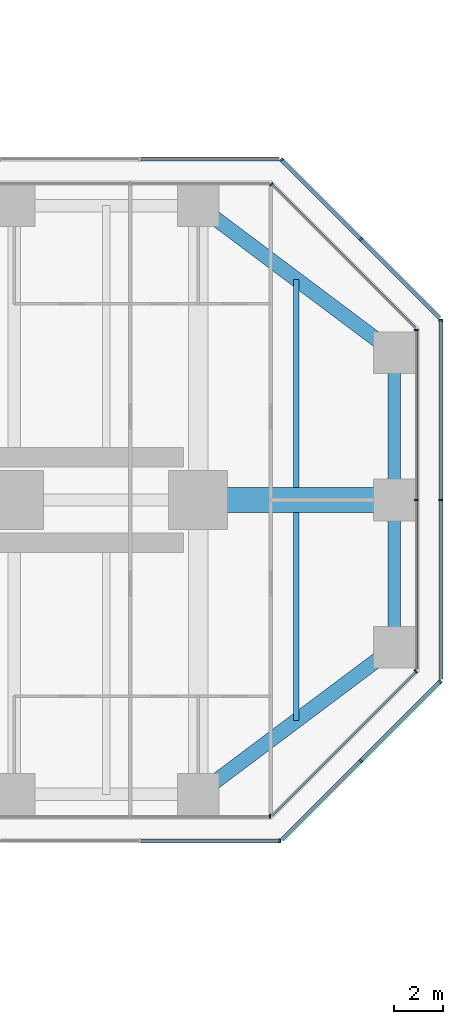
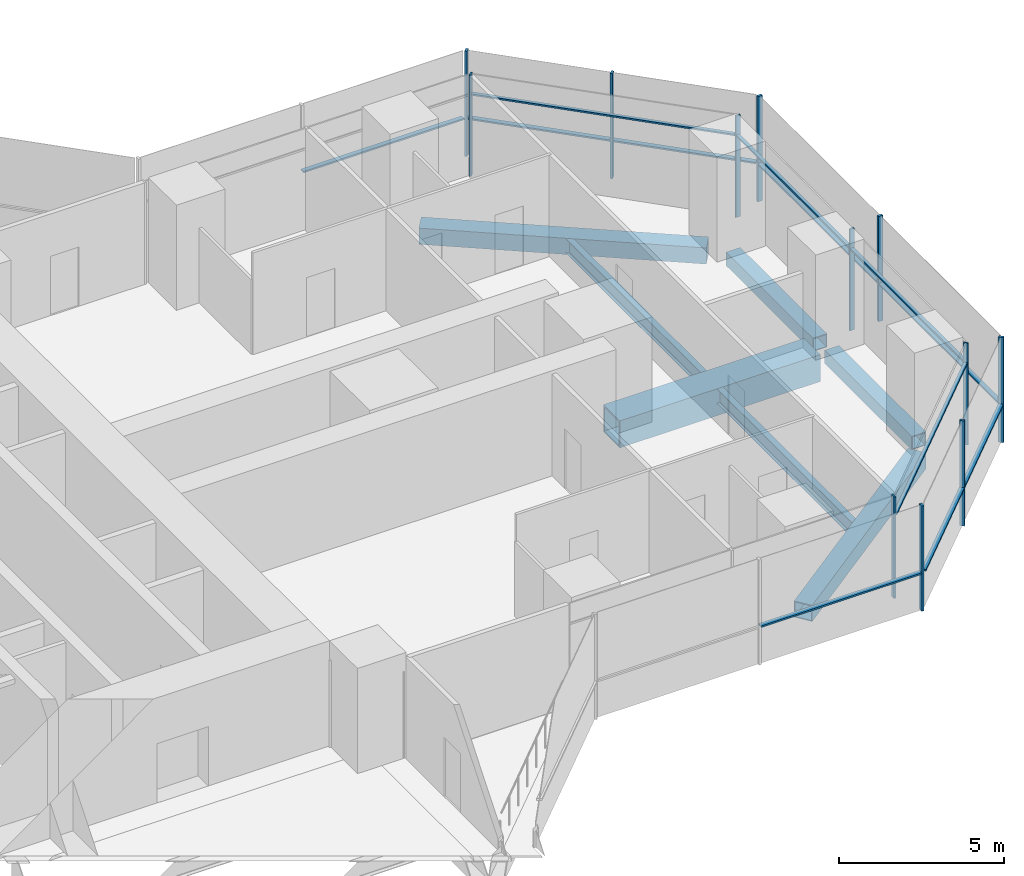
# One storey, part 11 of 20: 24 members, 7 beams, 9 elements without a shape of their own.
"""IFC4 building model written with IfcOpenShell, lengths in metres."""

from ifc_helpers import new_model, si_unit, direction, frame, origin, origin_2d, place, context, subcontext, project, spatial, rectangle, hollow_rectangle, i_section, extrude, material, material_profile, profile_set, type_object, element, aggregate, save


model = new_model("IFC4")

# Units and contexts
model_context = context("Model", 3, precision=1e-05, world=origin(), true_north=direction((0.0, 1.0)))
body_context = subcontext(model_context, "Body", "Model", "MODEL_VIEW")
ifc_project = project(units=[si_unit("LENGTHUNIT", "METRE"), si_unit("AREAUNIT", "SQUARE_METRE"), si_unit("VOLUMEUNIT", "CUBIC_METRE"), si_unit("PLANEANGLEUNIT", "RADIAN"), si_unit("MASSUNIT", "GRAM", prefix="KILO")], contexts=[model_context])

# Site, building, storey
site_placement = place(None, origin())
site = spatial("IfcSite", under=ifc_project, at=site_placement, CompositionType="ELEMENT")
building_placement = place(site_placement, origin())
building = spatial("IfcBuilding", under=site, at=building_placement, Name="Mizan Broadcast Tower", CompositionType="ELEMENT")
storey_placement = place(building_placement, frame((0.0, 0.0, 143.699951171875)))
storey = spatial("IfcBuildingStorey", under=building, at=storey_placement, Name="L32", CompositionType="ELEMENT", Elevation=143.699951171875)

# Beams
ifc_material_1 = material(Name="Steel S355", Category="steel")
ifc_material_profile_1 = material_profile(ifc_material_1, hollow_rectangle(XDim=0.5, YDim=0.5, WallThickness=0.030029296875, at=origin_2d()), Name="BOX 500x500x30")
ifc_profile_set_1 = profile_set([ifc_material_profile_1], Name="Steel S355")
beam_type_1 = type_object("IfcBeamType", Name="EDGE BEAM BOX 500x500x30", PredefinedType="SPANDREL", material=ifc_profile_set_1)
for number, where, z_axis, x_axis, name in (
    (1, (35.0, -5.639892578125, -0.3798828125), (0.0, 1.0, 0.0), (-1.0, 0.0, 0.0), "Edge beam BOX 500x500x30 L32 east arm"),
    (2, (35.0, 5.639892578125, -0.3798828125), (0.0, -1.0, 0.0), (1.0, 0.0, 0.0), "Edge beam BOX 500x500x30 L32 east arm"),
):
    element("IfcBeam", number, at=place(storey_placement, frame(where, z_axis=z_axis, x_axis=x_axis)), inside=storey, type_object=beam_type_1, Name=name, PredefinedType="SPANDREL", context=body_context, shape_type="SweptSolid", body=[
        extrude(hollow_rectangle(XDim=0.5, YDim=0.5, WallThickness=0.030029296875, at=origin_2d()), origin(), (0.0, 0.0, 1.0), 5.27978515625),
    ])
ifc_material_2 = material(Name="Steel S355", Category="steel")
ifc_material_profile_2 = material_profile(ifc_material_2, hollow_rectangle(XDim=0.60009765625, YDim=0.60009765625, WallThickness=0.030029296875, at=origin_2d()), Name="BOX 600x600x30")
ifc_profile_set_2 = profile_set([ifc_material_profile_2], Name="Steel S355")
beam_type_2 = type_object("IfcBeamType", Name="EDGE BEAM BOX 600x600x30", PredefinedType="SPANDREL", material=ifc_profile_set_2)
for number, where, z_axis, x_axis, name in (
    (3, (27.47998046875, -11.639892578125, -0.429931640625), (0.800013316712, 0.599982243973, 0.0), (-0.599982243973, 0.800013316712, 0.0), "Edge beam BOX 600x600x30 L32 east arm"),
    (4, (27.47998046875, 11.639892578125, -0.429931640625), (0.800013316712, -0.599982243973, 0.0), (0.599982243973, 0.800013316712, 0.0), "Edge beam BOX 600x600x30 L32 east arm"),
):
    element("IfcBeam", number, at=place(storey_placement, frame(where, z_axis=z_axis, x_axis=x_axis)), inside=storey, type_object=beam_type_2, Name=name, PredefinedType="SPANDREL", context=body_context, shape_type="SweptSolid", body=[
        extrude(hollow_rectangle(XDim=0.60009765625, YDim=0.60009765625, WallThickness=0.030029296875, at=origin_2d()), origin(), (0.0, 0.0, 1.0), 8.7998046875),
    ])
ifc_material_3 = material(Name="Steel S460", Category="steel")
ifc_material_profile_3 = material_profile(ifc_material_3, hollow_rectangle(XDim=1.0, YDim=1.0, WallThickness=0.06005859375, at=origin_2d()), Name="BOX 1000x1000x60")
ifc_profile_set_3 = profile_set([ifc_material_profile_3], Name="Steel S460")
beam_type_3 = type_object("IfcBeamType", Name="GIRDER BOX 1000x1000x60", PredefinedType="BEAM", material=ifc_profile_set_3)
beam_placement = place(storey_placement, frame((27.47998046875, 0.0, -0.6298828125), z_axis=(1.0, 0.0, 0.0), x_axis=(0.0, 1.0, 0.0)))
element("IfcBeam", 5, at=beam_placement, inside=storey, type_object=beam_type_3, Name="Girder BOX 1000x1000x60 L32 east arm", PredefinedType="BEAM", context=body_context, shape_type="SweptSolid", body=[
    extrude(hollow_rectangle(XDim=1.0, YDim=1.0, WallThickness=0.06005859375, at=origin_2d()), origin(), (0.0, 0.0, 1.0), 7.0400390625),
])

# Curtain wall, member
ifc_material_4 = material(Name="Aluminium framed glazing", Category="aluminium")
curtain_wall_type_1 = type_object("IfcCurtainWallType", Name="INNER SKIN MID ZONE", PredefinedType="USERDEFINED", material=ifc_material_4)
curtain_wall_1_placement = place(storey_placement, origin())
curtain_wall_1 = element("IfcCurtainWall", 6, at=curtain_wall_1_placement, inside=storey, type_object=curtain_wall_type_1, Name="Inner skin mid zone L32 E side", ObjectType="INNER SKIN MID ZONE", PredefinedType="USERDEFINED")
ifc_material_5 = material(Name="Aluminium, pale anodised", Category="aluminium")
ifc_material_profile_4 = material_profile(ifc_material_5, rectangle(XDim=0.159912109375, YDim=0.06005859375, at=origin_2d()), Name="MULLION 160x60")
ifc_profile_set_4 = profile_set([ifc_material_profile_4], Name="Aluminium, pale anodised")
member_type_1 = type_object("IfcMemberType", Name="INNER SKIN MULLION 60x160", PredefinedType="MULLION", material=ifc_profile_set_4)
member_1_placement = place(storey_placement, frame((29.928466796875, -12.89990234375, 0.0), z_axis=(0.0, 0.0, 1.0), x_axis=(0.0, 1.0, 0.0)))
member_1 = element("IfcMember", 7, at=member_1_placement, type_object=member_type_1, Name="Inner skin mid zone L32 E side mullion 3", PredefinedType="MULLION", context=body_context, shape_type="SweptSolid", body=[
    extrude(rectangle(XDim=0.159912109375, YDim=0.06005859375, at=origin_2d()), origin(), (0.0, 0.0, 1.0), 3.77001953125),
])
aggregate(curtain_wall_1, [member_1])

curtain_wall_2_placement = place(storey_placement, origin())
curtain_wall_2 = element("IfcCurtainWall", 8, at=curtain_wall_2_placement, inside=storey, type_object=curtain_wall_type_1, Name="Inner skin mid zone L32 E chamfer", ObjectType="INNER SKIN MID ZONE", PredefinedType="USERDEFINED")
member_2_placement = place(storey_placement, frame((35.87890625, -6.979736328125, 0.0), z_axis=(0.0, 0.0, 1.0), x_axis=(-0.707106781187, 0.707106781187, 0.0)))
member_2 = element("IfcMember", 9, at=member_2_placement, type_object=member_type_1, Name="Inner skin mid zone L32 E chamfer mullion 2", PredefinedType="MULLION", context=body_context, shape_type="SweptSolid", body=[
    extrude(rectangle(XDim=0.159912109375, YDim=0.06005859375, at=origin_2d()), origin(), (0.0, 0.0, 1.0), 3.77001953125),
])

# Curtain wall, members
curtain_wall_3_placement = place(storey_placement, origin())
curtain_wall_3 = element("IfcCurtainWall", 10, at=curtain_wall_3_placement, inside=storey, type_object=curtain_wall_type_1, Name="Inner skin mid zone L32 E end", ObjectType="INNER SKIN MID ZONE", PredefinedType="USERDEFINED")
member_3_placement = place(storey_placement, frame((35.89990234375, 0.0, 0.0), z_axis=(0.0, 0.0, 1.0), x_axis=(-1.0, 0.0, 0.0)))
member_3 = element("IfcMember", 11, at=member_3_placement, type_object=member_type_1, Name="Inner skin mid zone L32 E end mullion 2", PredefinedType="MULLION", context=body_context, shape_type="SweptSolid", body=[
    extrude(rectangle(XDim=0.159912109375, YDim=0.06005859375, at=origin_2d()), origin(), (0.0, 0.0, 1.0), 3.77001953125),
])
member_4_placement = place(storey_placement, frame((35.89990234375, 6.928466796875, 0.0), z_axis=(0.0, 0.0, 1.0), x_axis=(-1.0, 0.0, 0.0)))
member_4 = element("IfcMember", 12, at=member_4_placement, type_object=member_type_1, Name="Inner skin mid zone L32 E end mullion 3", PredefinedType="MULLION", context=body_context, shape_type="SweptSolid", body=[
    extrude(rectangle(XDim=0.159912109375, YDim=0.06005859375, at=origin_2d()), origin(), (0.0, 0.0, 1.0), 3.77001953125),
])

# Curtain wall, member
curtain_wall_4_placement = place(storey_placement, origin())
curtain_wall_4 = element("IfcCurtainWall", 13, at=curtain_wall_4_placement, inside=storey, type_object=curtain_wall_type_1, Name="Inner skin mid zone L32 E chamfer", ObjectType="INNER SKIN MID ZONE", PredefinedType="USERDEFINED")
member_5_placement = place(storey_placement, frame((29.979736328125, 12.87890625, 0.0), z_axis=(0.0, 0.0, 1.0), x_axis=(-0.707106781187, -0.707106781187, 0.0)))
member_5 = element("IfcMember", 14, at=member_5_placement, type_object=member_type_1, Name="Inner skin mid zone L32 E chamfer mullion 2", PredefinedType="MULLION", context=body_context, shape_type="SweptSolid", body=[
    extrude(rectangle(XDim=0.159912109375, YDim=0.06005859375, at=origin_2d()), origin(), (0.0, 0.0, 1.0), 3.77001953125),
])

# Member
ifc_material_6 = material(Name="Aluminium, pale anodised", Category="aluminium")
ifc_material_profile_5 = material_profile(ifc_material_6, rectangle(XDim=0.1201171875, YDim=0.06005859375, at=origin_2d()), Name="TRANSOM 120x60")
ifc_profile_set_5 = profile_set([ifc_material_profile_5], Name="Aluminium, pale anodised")
member_type_2 = type_object("IfcMemberType", Name="INNER SKIN TRANSOM 60x120", PredefinedType="USERDEFINED", material=ifc_profile_set_5)
member_6_placement = place(storey_placement, frame((30.0009765625, -12.857666015625, 3.030029296875), z_axis=(0.707106781187, 0.707106781187, 0.0), x_axis=(-0.707106781187, 0.707106781187, 0.0)))
member_6 = element("IfcMember", 15, at=member_6_placement, type_object=member_type_2, Name="Inner skin mid zone L32 E chamfer transom 1.1", ObjectType="TRANSOM", PredefinedType="USERDEFINED", context=body_context, shape_type="SweptSolid", body=[
    extrude(rectangle(XDim=0.1201171875, YDim=0.06005859375, at=origin_2d()), origin(), (0.0, 0.0, 1.0), 8.28271484375),
])

aggregate(curtain_wall_2, [member_2, member_6])

member_7_placement = place(storey_placement, frame((35.89990234375, -6.898681640625, 3.030029296875), z_axis=(0.0, 1.0, 0.0), x_axis=(-1.0, 0.0, 0.0)))
member_7 = element("IfcMember", 16, at=member_7_placement, type_object=member_type_2, Name="Inner skin mid zone L32 E end transom 1.1", ObjectType="TRANSOM", PredefinedType="USERDEFINED", context=body_context, shape_type="SweptSolid", body=[
    extrude(rectangle(XDim=0.1201171875, YDim=0.06005859375, at=origin_2d()), origin(), (0.0, 0.0, 1.0), 6.86865234375),
])

member_8_placement = place(storey_placement, frame((35.89990234375, 0.030029296875, 3.030029296875), z_axis=(0.0, 1.0, 0.0), x_axis=(-1.0, 0.0, 0.0)))
member_8 = element("IfcMember", 17, at=member_8_placement, type_object=member_type_2, Name="Inner skin mid zone L32 E end transom 2.1", ObjectType="TRANSOM", PredefinedType="USERDEFINED", context=body_context, shape_type="SweptSolid", body=[
    extrude(rectangle(XDim=0.1201171875, YDim=0.06005859375, at=origin_2d()), origin(), (0.0, 0.0, 1.0), 6.86865234375),
])

aggregate(curtain_wall_3, [member_3, member_4, member_7, member_8])

member_9_placement = place(storey_placement, frame((35.857666015625, 7.0009765625, 3.030029296875), z_axis=(-0.707106781187, 0.707106781187, 0.0), x_axis=(-0.707106781187, -0.707106781187, 0.0)))
member_9 = element("IfcMember", 18, at=member_9_placement, type_object=member_type_2, Name="Inner skin mid zone L32 E chamfer transom 1.1", ObjectType="TRANSOM", PredefinedType="USERDEFINED", context=body_context, shape_type="SweptSolid", body=[
    extrude(rectangle(XDim=0.1201171875, YDim=0.06005859375, at=origin_2d()), origin(), (0.0, 0.0, 1.0), 8.28271484375),
])

aggregate(curtain_wall_4, [member_5, member_9])

# Curtain wall, members
ifc_material_7 = material(Name="Aluminium framed glazing", Category="aluminium")
curtain_wall_type_2 = type_object("IfcCurtainWallType", Name="OUTER SKIN", PredefinedType="USERDEFINED", material=ifc_material_7)
curtain_wall_5_placement = place(storey_placement, origin())
curtain_wall_5 = element("IfcCurtainWall", 19, at=curtain_wall_5_placement, inside=storey, type_object=curtain_wall_type_2, Name="Outer skin L32 E chamfer", ObjectType="OUTER SKIN", PredefinedType="USERDEFINED")
ifc_material_8 = material(Name="Aluminium, pale anodised", Category="aluminium")
ifc_material_profile_6 = material_profile(ifc_material_8, rectangle(XDim=0.159912109375, YDim=0.080078125, at=origin_2d()), Name="MULLION 160x80")
ifc_profile_set_6 = profile_set([ifc_material_profile_6], Name="Aluminium, pale anodised")
member_type_3 = type_object("IfcMemberType", Name="OUTER SKIN MULLION 80x160", PredefinedType="MULLION", material=ifc_profile_set_6)
member_10_placement = place(storey_placement, frame((33.636474609375, -10.636474609375, 0.0), z_axis=(0.0, 0.0, 1.0), x_axis=(-0.707106781187, 0.707106781187, 0.0)))
member_10 = element("IfcMember", 20, at=member_10_placement, type_object=member_type_3, Name="Outer skin L32 E chamfer mullion 2", PredefinedType="MULLION", context=body_context, shape_type="SweptSolid", body=[
    extrude(rectangle(XDim=0.159912109375, YDim=0.080078125, at=origin_2d()), origin(), (0.0, 0.0, 1.0), 3.900146484375),
])
member_11_placement = place(storey_placement, frame((36.871826171875, -7.401123046875, 0.0), z_axis=(0.0, 0.0, 1.0), x_axis=(-0.707106781187, 0.707106781187, 0.0)))
member_11 = element("IfcMember", 21, at=member_11_placement, type_object=member_type_3, Name="Outer skin L32 E chamfer mullion 3", PredefinedType="MULLION", context=body_context, shape_type="SweptSolid", body=[
    extrude(rectangle(XDim=0.159912109375, YDim=0.080078125, at=origin_2d()), origin(), (0.0, 0.0, 1.0), 3.900146484375),
])

curtain_wall_6_placement = place(storey_placement, origin())
curtain_wall_6 = element("IfcCurtainWall", 22, at=curtain_wall_6_placement, inside=storey, type_object=curtain_wall_type_2, Name="Outer skin L32 E end", ObjectType="OUTER SKIN", PredefinedType="USERDEFINED")
member_12_placement = place(storey_placement, frame((36.89990234375, 0.0, 0.0), z_axis=(0.0, 0.0, 1.0), x_axis=(-1.0, 0.0, 0.0)))
member_12 = element("IfcMember", 23, at=member_12_placement, type_object=member_type_3, Name="Outer skin L32 E end mullion 2", PredefinedType="MULLION", context=body_context, shape_type="SweptSolid", body=[
    extrude(rectangle(XDim=0.159912109375, YDim=0.080078125, at=origin_2d()), origin(), (0.0, 0.0, 1.0), 3.900146484375),
])
member_13_placement = place(storey_placement, frame((36.89990234375, 7.332763671875, 0.0), z_axis=(0.0, 0.0, 1.0), x_axis=(-1.0, 0.0, 0.0)))
member_13 = element("IfcMember", 24, at=member_13_placement, type_object=member_type_3, Name="Outer skin L32 E end mullion 3", PredefinedType="MULLION", context=body_context, shape_type="SweptSolid", body=[
    extrude(rectangle(XDim=0.159912109375, YDim=0.080078125, at=origin_2d()), origin(), (0.0, 0.0, 1.0), 3.900146484375),
])

curtain_wall_7_placement = place(storey_placement, origin())
curtain_wall_7 = element("IfcCurtainWall", 25, at=curtain_wall_7_placement, inside=storey, type_object=curtain_wall_type_2, Name="Outer skin L32 E chamfer", ObjectType="OUTER SKIN", PredefinedType="USERDEFINED")
member_14_placement = place(storey_placement, frame((33.636474609375, 10.636474609375, 0.0), z_axis=(0.0, 0.0, 1.0), x_axis=(-0.707106781187, -0.707106781187, 0.0)))
member_14 = element("IfcMember", 26, at=member_14_placement, type_object=member_type_3, Name="Outer skin L32 E chamfer mullion 2", PredefinedType="MULLION", context=body_context, shape_type="SweptSolid", body=[
    extrude(rectangle(XDim=0.159912109375, YDim=0.080078125, at=origin_2d()), origin(), (0.0, 0.0, 1.0), 3.900146484375),
])
member_15_placement = place(storey_placement, frame((30.401123046875, 13.871826171875, 0.0), z_axis=(0.0, 0.0, 1.0), x_axis=(-0.707106781187, -0.707106781187, 0.0)))
member_15 = element("IfcMember", 27, at=member_15_placement, type_object=member_type_3, Name="Outer skin L32 E chamfer mullion 3", PredefinedType="MULLION", context=body_context, shape_type="SweptSolid", body=[
    extrude(rectangle(XDim=0.159912109375, YDim=0.080078125, at=origin_2d()), origin(), (0.0, 0.0, 1.0), 3.900146484375),
])

# Curtain wall, member
curtain_wall_8_placement = place(storey_placement, origin())
curtain_wall_8 = element("IfcCurtainWall", 28, at=curtain_wall_8_placement, inside=storey, type_object=curtain_wall_type_2, Name="Outer skin L32 E side", ObjectType="OUTER SKIN", PredefinedType="USERDEFINED")
member_16_placement = place(storey_placement, frame((30.332763671875, -13.89990234375, 0.0), z_axis=(0.0, 0.0, 1.0), x_axis=(0.0, 1.0, 0.0)))
member_16 = element("IfcMember", 29, at=member_16_placement, type_object=member_type_3, Name="Outer skin L32 E side mullion 3", PredefinedType="MULLION", context=body_context, shape_type="SweptSolid", body=[
    extrude(rectangle(XDim=0.159912109375, YDim=0.080078125, at=origin_2d()), origin(), (0.0, 0.0, 1.0), 3.900146484375),
])

# Member
ifc_material_9 = material(Name="Aluminium, pale anodised", Category="aluminium")
ifc_material_profile_7 = material_profile(ifc_material_9, rectangle(XDim=0.159912109375, YDim=0.06005859375, at=origin_2d()), Name="TRANSOM 160x60")
ifc_profile_set_7 = profile_set([ifc_material_profile_7], Name="Aluminium, pale anodised")
member_type_4 = type_object("IfcMemberType", Name="OUTER SKIN TRANSOM 60x160", PredefinedType="USERDEFINED", material=ifc_profile_set_7)
member_17_placement = place(storey_placement, frame((30.429443359375, -13.843505859375, 1.400146484375), z_axis=(0.707106781187, 0.707106781187, 0.0), x_axis=(-0.707106781187, 0.707106781187, 0.0)))
member_17 = element("IfcMember", 30, at=member_17_placement, type_object=member_type_4, Name="Outer skin L32 E chamfer transom 1.1", ObjectType="TRANSOM", PredefinedType="USERDEFINED", context=body_context, shape_type="SweptSolid", body=[
    extrude(rectangle(XDim=0.159912109375, YDim=0.06005859375, at=origin_2d()), origin(), (0.0, 0.0, 1.0), 4.495361328125),
])

member_18_placement = place(storey_placement, frame((33.664794921875, -10.608154296875, 1.400146484375), z_axis=(0.707106781187, 0.707106781187, 0.0), x_axis=(-0.707106781187, 0.707106781187, 0.0)))
member_18 = element("IfcMember", 31, at=member_18_placement, type_object=member_type_4, Name="Outer skin L32 E chamfer transom 2.1", ObjectType="TRANSOM", PredefinedType="USERDEFINED", context=body_context, shape_type="SweptSolid", body=[
    extrude(rectangle(XDim=0.159912109375, YDim=0.06005859375, at=origin_2d()), origin(), (0.0, 0.0, 1.0), 4.495361328125),
])

aggregate(curtain_wall_5, [member_10, member_11, member_17, member_18])

member_19_placement = place(storey_placement, frame((36.89990234375, -7.292724609375, 1.400146484375), z_axis=(0.0, 1.0, 0.0), x_axis=(-1.0, 0.0, 0.0)))
member_19 = element("IfcMember", 32, at=member_19_placement, type_object=member_type_4, Name="Outer skin L32 E end transom 1.1", ObjectType="TRANSOM", PredefinedType="USERDEFINED", context=body_context, shape_type="SweptSolid", body=[
    extrude(rectangle(XDim=0.159912109375, YDim=0.06005859375, at=origin_2d()), origin(), (0.0, 0.0, 1.0), 7.252685546875),
])

member_20_placement = place(storey_placement, frame((36.89990234375, 0.0400390625, 1.400146484375), z_axis=(0.0, 1.0, 0.0), x_axis=(-1.0, 0.0, 0.0)))
member_20 = element("IfcMember", 33, at=member_20_placement, type_object=member_type_4, Name="Outer skin L32 E end transom 2.1", ObjectType="TRANSOM", PredefinedType="USERDEFINED", context=body_context, shape_type="SweptSolid", body=[
    extrude(rectangle(XDim=0.159912109375, YDim=0.06005859375, at=origin_2d()), origin(), (0.0, 0.0, 1.0), 7.252685546875),
])

aggregate(curtain_wall_6, [member_12, member_13, member_19, member_20])

member_21_placement = place(storey_placement, frame((36.843505859375, 7.429443359375, 1.400146484375), z_axis=(-0.707106781187, 0.707106781187, 0.0), x_axis=(-0.707106781187, -0.707106781187, 0.0)))
member_21 = element("IfcMember", 34, at=member_21_placement, type_object=member_type_4, Name="Outer skin L32 E chamfer transom 1.1", ObjectType="TRANSOM", PredefinedType="USERDEFINED", context=body_context, shape_type="SweptSolid", body=[
    extrude(rectangle(XDim=0.159912109375, YDim=0.06005859375, at=origin_2d()), origin(), (0.0, 0.0, 1.0), 4.495361328125),
])

member_22_placement = place(storey_placement, frame((33.608154296875, 10.664794921875, 1.400146484375), z_axis=(-0.707106781187, 0.707106781187, 0.0), x_axis=(-0.707106781187, -0.707106781187, 0.0)))
member_22 = element("IfcMember", 35, at=member_22_placement, type_object=member_type_4, Name="Outer skin L32 E chamfer transom 2.1", ObjectType="TRANSOM", PredefinedType="USERDEFINED", context=body_context, shape_type="SweptSolid", body=[
    extrude(rectangle(XDim=0.159912109375, YDim=0.06005859375, at=origin_2d()), origin(), (0.0, 0.0, 1.0), 4.495361328125),
])

aggregate(curtain_wall_7, [member_14, member_15, member_21, member_22])

# Curtain wall, member
curtain_wall_9_placement = place(storey_placement, origin())
curtain_wall_9 = element("IfcCurtainWall", 36, at=curtain_wall_9_placement, inside=storey, type_object=curtain_wall_type_2, Name="Outer skin L32 E side", ObjectType="OUTER SKIN", PredefinedType="USERDEFINED")
member_23_placement = place(storey_placement, frame((30.292724609375, 13.89990234375, 1.400146484375), z_axis=(-1.0, 0.0, 0.0), x_axis=(0.0, -1.0, 0.0)))
member_23 = element("IfcMember", 37, at=member_23_placement, type_object=member_type_4, Name="Outer skin L32 E side transom 1.1", ObjectType="TRANSOM", PredefinedType="USERDEFINED", context=body_context, shape_type="SweptSolid", body=[
    extrude(rectangle(XDim=0.159912109375, YDim=0.06005859375, at=origin_2d()), origin(), (0.0, 0.0, 1.0), 5.6298828125),
])
aggregate(curtain_wall_9, [member_23])

# Member
member_24_placement = place(storey_placement, frame((24.662841796875, -13.89990234375, 1.400146484375), z_axis=(1.0, 0.0, 0.0), x_axis=(0.0, 1.0, 0.0)))
member_24 = element("IfcMember", 38, at=member_24_placement, type_object=member_type_4, Name="Outer skin L32 E side transom 2.1", ObjectType="TRANSOM", PredefinedType="USERDEFINED", context=body_context, shape_type="SweptSolid", body=[
    extrude(rectangle(XDim=0.159912109375, YDim=0.06005859375, at=origin_2d()), origin(), (0.0, 0.0, 1.0), 5.6298828125),
])

aggregate(curtain_wall_8, [member_16, member_24])

# Beams
ifc_material_10 = material(Name="Steel S355", Category="steel")
ifc_material_profile_8 = material_profile(ifc_material_10, i_section(OverallWidth=0.2099609375, OverallDepth=0.550048828125, WebThickness=0.010986328125, FlangeThickness=0.01708984375, FilletRadius=0.02392578125, at=origin_2d()), Name="IPE 550")
ifc_profile_set_8 = profile_set([ifc_material_profile_8], Name="Steel S355")
beam_type_4 = type_object("IfcBeamType", Name="SECONDARY BEAM IPE 550", PredefinedType="JOIST", material=ifc_profile_set_8)
for number, where, z_axis, x_axis, name in (
    (39, (31.0, -9.0, -0.405029296875), (0.0, 1.0, 0.0), (-1.0, 0.0, 0.0), "Secondary beam IPE 550 L32 east arm"),
    (40, (31.0, 9.0, -0.405029296875), (0.0, -1.0, 0.0), (1.0, 0.0, 0.0), "Secondary beam IPE 550 L32 east arm"),
):
    element("IfcBeam", number, at=place(storey_placement, frame(where, z_axis=z_axis, x_axis=x_axis)), inside=storey, type_object=beam_type_4, Name=name, PredefinedType="JOIST", context=body_context, shape_type="SweptSolid", body=[
        extrude(i_section(OverallWidth=0.2099609375, OverallDepth=0.550048828125, WebThickness=0.010986328125, FlangeThickness=0.01708984375, FilletRadius=0.02392578125, at=origin_2d()), origin(), (0.0, 0.0, 1.0), 8.5),
    ])

save(model, "model.ifc")
